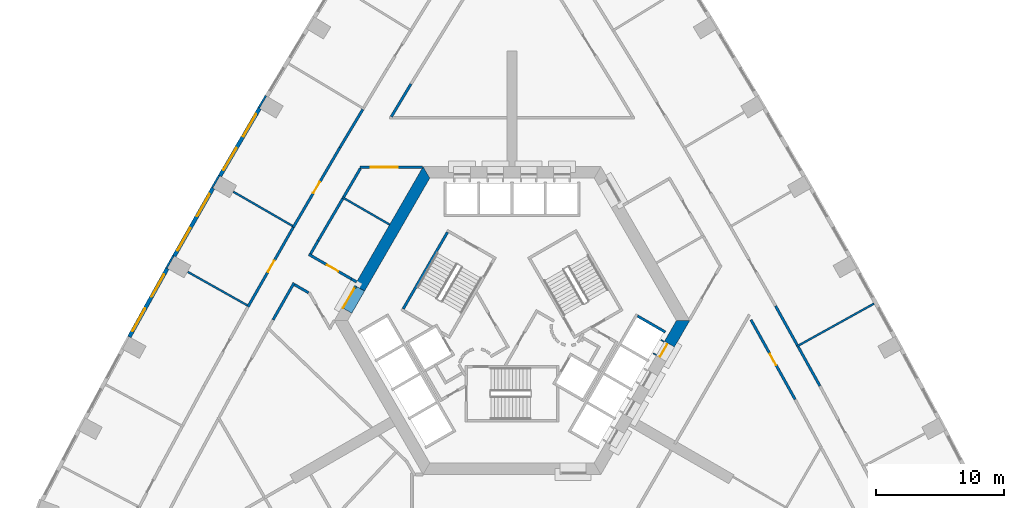
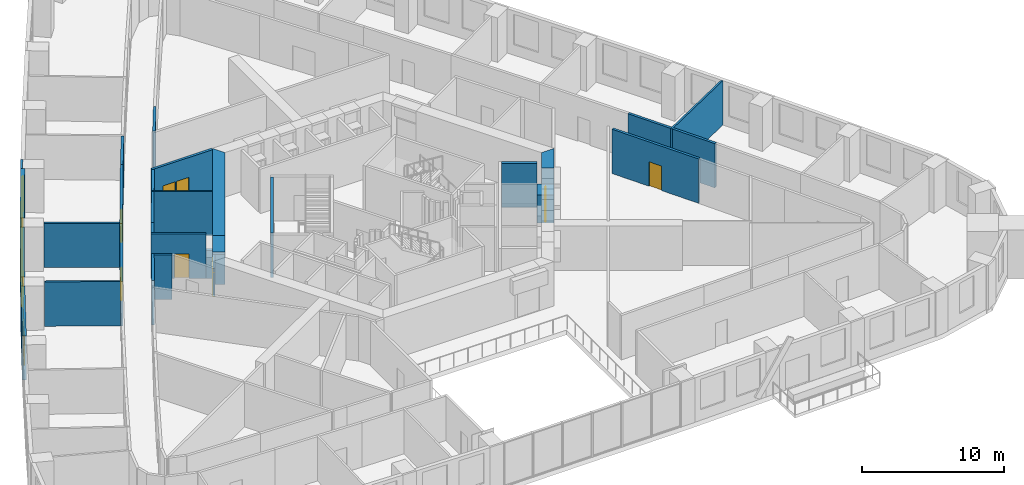
# One storey, part 8 of 14: 32 walls, 8 doors, 6 windows, 14 openings.
"""IFC4 building model written with IfcOpenShell, lengths in metres."""

import ifcopenshell
import ifcopenshell.guid

model = None  # the IFC model being written
_history = None  # IfcOwnerHistory: only IFC2X3 demands one
_inside = {}  # id of a spatial element -> (the spatial element, [elements in it])
_under = {}  # id of a project, library or spatial element -> (it, [spatial elements below it])
_declared = {}  # id of a project -> (the project, [libraries it declares])
_typed = {}  # id of a type object -> (the type object, [elements of that type])
_made_of = {}  # id of a material, layer set ... -> (it, [elements and type objects made of it])


def new_model(schema):
    """Start an empty IFC model of exactly this schema.

    Asked for "IFC4X3", IfcOpenShell would pick the latest addendum, in which some entities
    have other attributes; the version numbers below select the first issue.
    IFC2X3 requires an IfcOwnerHistory on every rooted entity: one is made here for all.
    """
    global model, _history
    if schema == "IFC4X3":
        model = ifcopenshell.file(schema_version=(4, 3, 0, 0))
    else:
        model = ifcopenshell.file(schema=schema)
    _inside.clear()
    _under.clear()
    _declared.clear()
    _typed.clear()
    _made_of.clear()
    _history = None
    if model.schema == "IFC2X3":
        org = make("IfcOrganization", Name="unknown")
        user = make(
            "IfcPersonAndOrganization",
            ThePerson=make("IfcPerson", FamilyName="unknown"),
            TheOrganization=org,
        )
        app = make(
            "IfcApplication",
            ApplicationDeveloper=org,
            Version="unknown",
            ApplicationFullName="unknown",
            ApplicationIdentifier="unknown",
        )
        _history = make(
            "IfcOwnerHistory",
            OwningUser=user,
            OwningApplication=app,
            ChangeAction="ADDED",
            CreationDate=0,
        )
    return model


def make(cls, **values):
    """One entity of the class cls with the attributes given. An attribute that is None is left unset."""
    return model.create_entity(
        cls, **{name: value for name, value in values.items() if value is not None}
    )


def rooted(cls, **values):
    """An entity with a GlobalId (a new one), such as an element, a storey or a relation."""
    return make(cls, GlobalId=ifcopenshell.guid.new(), OwnerHistory=_history, **values)


def si_unit(unit_type, name, prefix=None):
    """IfcSIUnit, for example si_unit("LENGTHUNIT", "METRE", prefix="MILLI")."""
    return make("IfcSIUnit", UnitType=unit_type, Prefix=prefix, Name=name)


def assignment(units):
    """IfcUnitAssignment: the units of a project."""
    return None if units is None else make("IfcUnitAssignment", Units=units)


def point(xyz):
    """IfcCartesianPoint."""
    return None if xyz is None else make("IfcCartesianPoint", Coordinates=xyz)


def direction(xyz):
    """IfcDirection."""
    return None if xyz is None else make("IfcDirection", DirectionRatios=xyz)


def frame(location, z_axis=None, x_axis=None):
    """IfcAxis2Placement3D, a coordinate frame: its origin and axes. An axis left out is left unset."""
    return make(
        "IfcAxis2Placement3D",
        Location=point(location),
        Axis=direction(z_axis),
        RefDirection=direction(x_axis),
    )


def frame_2d(location, x_axis=None):
    """IfcAxis2Placement2D, a coordinate frame in the plane: its origin and x axis."""
    return make(
        "IfcAxis2Placement2D", Location=point(location), RefDirection=direction(x_axis)
    )


def origin():
    """The frame at (0, 0, 0) with its axes left unset."""
    return frame((0.0, 0.0, 0.0))


def place(relative_to, where):
    """IfcLocalPlacement: puts the frame where relative to a parent placement (None: the world)."""
    return make(
        "IfcLocalPlacement", PlacementRelTo=relative_to, RelativePlacement=where
    )


def context(
    kind, dimensions, precision=None, world=None, true_north=None, identifier=None
):
    """IfcGeometricRepresentationContext, for example the 3D "Model" context."""
    return make(
        "IfcGeometricRepresentationContext",
        ContextIdentifier=identifier,
        ContextType=kind,
        CoordinateSpaceDimension=dimensions,
        Precision=precision,
        WorldCoordinateSystem=world,
        TrueNorth=true_north,
    )


def subcontext(parent, identifier, kind, view, scale=None):
    """IfcGeometricRepresentationSubContext, for example "Body" below "Model"."""
    return make(
        "IfcGeometricRepresentationSubContext",
        ContextIdentifier=identifier,
        ContextType=kind,
        ParentContext=parent,
        TargetScale=scale,
        TargetView=view,
    )


def project(units=None, contexts=None):
    """IfcProject with its units and contexts."""
    return rooted(
        "IfcProject",
        Name="project",
        RepresentationContexts=contexts,
        UnitsInContext=assignment(units),
    )


def spatial(cls, under=None, at=None, **own):
    """A site, building, storey or space (cls), placed at a placement, below another one or the project."""
    s = rooted(cls, ObjectPlacement=at, **own)
    if under is not None:
        _under.setdefault(under.id(), (under, []))[1].append(s)
    return s


def polyline(points):
    """IfcPolyline through the points."""
    return make("IfcPolyline", Points=[point(p) for p in points])


def profile(cls, at=None, kind="AREA", **sizes):
    """A parametric profile (cls). Its sizes go by their IFC names, for example OverallWidth=200.0."""
    return make(cls, ProfileType=kind, Position=at, **sizes)


def rectangle(**sizes):
    """IfcRectangleProfileDef."""
    return profile("IfcRectangleProfileDef", **sizes)


def outline(outer, holes=None, kind="AREA"):
    """IfcArbitraryClosedProfileDef: a profile drawn as a closed curve; with holes, ...WithVoids."""
    if holes is None:
        return make("IfcArbitraryClosedProfileDef", ProfileType=kind, OuterCurve=outer)
    return make(
        "IfcArbitraryProfileDefWithVoids",
        ProfileType=kind,
        OuterCurve=outer,
        InnerCurves=holes,
    )


def extrude(swept, where, along, depth):
    """IfcExtrudedAreaSolid: the profile swept, set in the frame where, extruded along a direction by depth."""
    return make(
        "IfcExtrudedAreaSolid",
        SweptArea=swept,
        Position=where,
        ExtrudedDirection=direction(along),
        Depth=depth,
    )


def shape(context_of_items, identifier, shape_type, items):
    """IfcShapeRepresentation: the items that make up one representation, for example the "Body"."""
    return make(
        "IfcShapeRepresentation",
        ContextOfItems=context_of_items,
        RepresentationIdentifier=identifier,
        RepresentationType=shape_type,
        Items=items,
    )


def material(Name=None, Category=None):
    """IfcMaterial."""
    return make("IfcMaterial", Name=Name, Category=Category)


def layer(
    of_material, thickness, ventilated=None, Name=None, Category=None, Priority=None
):
    """IfcMaterialLayer: one layer of a wall or slab, of a material (None: an air gap)."""
    return make(
        "IfcMaterialLayer",
        Material=of_material,
        LayerThickness=thickness,
        IsVentilated=ventilated,
        Name=Name,
        Category=Category,
        Priority=Priority,
    )


def layer_set(layers, Name=None):
    """IfcMaterialLayerSet."""
    return make("IfcMaterialLayerSet", MaterialLayers=layers, LayerSetName=Name)


def made_of(thing, what):
    """Note that an element or type object is made of a material, layer set ...; save() writes the relation."""
    if what is not None:
        _made_of.setdefault(what.id(), (what, []))[1].append(thing)
    return thing


def type_object(cls, material=None, **own):
    """A type object (cls), such as IfcWallType, which elements share."""
    return made_of(rooted(cls, **own), material)


def element(
    cls,
    number,
    at=None,
    inside=None,
    cuts=None,
    type_object=None,
    material=None,
    context=None,
    identifier="Body",
    shape_type=None,
    held_by="IfcProductDefinitionShape",
    body=None,
    shapes=None,
    **own,
):
    """One element of the class cls, such as IfcWall. Its Tag is "e" and its number.

    at: its placement. inside: the storey or other place that contains it. cuts: it is an
    opening in that element (IfcRelVoidsElement). A single representation is given by context,
    identifier, shape_type and body (its items); several are given by shapes. held_by: the class
    of the entity that holds the representations. save() writes the other relations.
    """
    e = rooted(cls, Tag="e%d" % number, ObjectPlacement=at, **own)
    if body is not None:
        shapes = [shape(context, identifier, shape_type, body)]
    if shapes is not None:
        e.Representation = make(held_by, Representations=shapes)
    if inside is not None:
        _inside.setdefault(inside.id(), (inside, []))[1].append(e)
    if cuts is not None:
        rooted(
            "IfcRelVoidsElement", RelatingBuildingElement=cuts, RelatedOpeningElement=e
        )
    if type_object is not None:
        _typed.setdefault(type_object.id(), (type_object, []))[1].append(e)
    return made_of(e, material)


def fill(opening, filler):
    """IfcRelFillsElement: the door or window that sits in an opening."""
    return rooted(
        "IfcRelFillsElement",
        RelatingOpeningElement=opening,
        RelatedBuildingElement=filler,
    )


def aggregate(whole, parts):
    """IfcRelAggregates: a whole, such as a stair, and the parts it consists of."""
    return rooted("IfcRelAggregates", RelatingObject=whole, RelatedObjects=parts)


def save(model, path):
    """Write the relations noted so far, then the file.

    IfcRelAggregates (storeys below a building ...), IfcRelContainedInSpatialStructure (elements
    in a storey), IfcRelDefinesByType, IfcRelAssociatesMaterial and IfcRelDeclares: one each for
    every whole, place, type object, material and project.
    """
    for whole, parts in _under.values():
        aggregate(whole, parts)
    for where, things in _inside.values():
        rooted(
            "IfcRelContainedInSpatialStructure",
            RelatedElements=things,
            RelatingStructure=where,
        )
    for kind, things in _typed.values():
        rooted("IfcRelDefinesByType", RelatedObjects=things, RelatingType=kind)
    for what, things in _made_of.values():
        rooted("IfcRelAssociatesMaterial", RelatedObjects=things, RelatingMaterial=what)
    for by, libraries in _declared.values():
        rooted("IfcRelDeclares", RelatingContext=by, RelatedDefinitions=libraries)
    model.write(path)


model = new_model("IFC4")

# Units and contexts
model_context = context("Model", 3, precision=1e-05, world=origin(), true_north=direction((0.0, 1.0)))
body_context = subcontext(model_context, "Body", "Model", "MODEL_VIEW")
ifc_project = project(units=[si_unit("LENGTHUNIT", "METRE"), si_unit("AREAUNIT", "SQUARE_METRE"), si_unit("VOLUMEUNIT", "CUBIC_METRE"), si_unit("PLANEANGLEUNIT", "RADIAN"), si_unit("MASSUNIT", "GRAM", prefix="KILO")], contexts=[model_context])

# Site, building, storey
site_placement = place(None, origin())
site = spatial("IfcSite", under=ifc_project, at=site_placement, CompositionType="ELEMENT")
building_placement = place(site_placement, origin())
building = spatial("IfcBuilding", under=site, at=building_placement, Name="Entoto Arch Interchange Tower", CompositionType="ELEMENT")
storey_placement = place(building_placement, frame((0.0, 0.0, 103.39990234375)))
storey = spatial("IfcBuildingStorey", under=building, at=storey_placement, Name="L22", CompositionType="ELEMENT", Elevation=103.39990234375)

# Wall, opening, door
ifc_material_1 = material(Name="Reinforced concrete C40/50", Category="concrete")
ifc_layer_1 = layer(ifc_material_1, 0.199951171875)
ifc_layer_set_1 = layer_set([ifc_layer_1], Name="Reinforced concrete C40/50")
wall_type_1 = type_object("IfcWallType", Name="CORE GAP INFILL WALL", PredefinedType="PARTITIONING", material=ifc_layer_set_1)
wall_1_placement = place(storey_placement, frame((-12.179931640625, 5.201904296875, 0.0), z_axis=(0.0, 0.0, 1.0), x_axis=(-0.50002537861, -0.866010750942, 0.0)))
wall_1 = element("IfcWall", 1, at=wall_1_placement, inside=storey, type_object=wall_type_1, Name="wall:L22:gap3", PredefinedType="PARTITIONING", context=body_context, shape_type="SweptSolid", body=[
    extrude(rectangle(XDim=2.0, YDim=0.199951171875, at=frame_2d((1.0, 0.0))), origin(), (0.0, 0.0, 1.0), 2.400146484375),
])
opening_1_placement = place(wall_1_placement, frame((0.18994140625, 0.0, 0.0)))
opening_1 = element("IfcOpeningElement", 2, at=opening_1_placement, cuts=wall_1, Name="Opening L22-D93", PredefinedType="OPENING", context=body_context, shape_type="SweptSolid", body=[
    extrude(rectangle(XDim=1.800048828125, YDim=2.10009765625, at=frame_2d((0.89990234375, 1.050048828125))), frame((0.0, 0.10986328125, 0.0), z_axis=(0.0, -1.0, 0.0), x_axis=(1.0, 0.0, 0.0)), (0.0, 0.0, 1.0), 0.219970703125),
])
ifc_material_2 = material(Name="Fire-rated Steel S235 door and frame", Category="steel")
door_type_1 = type_object("IfcDoorType", Name="DOOR FD-18 1800x2100", OperationType="DOUBLE_DOOR_SINGLE_SWING", PredefinedType="DOOR", material=ifc_material_2)
door_1_placement = place(opening_1_placement, origin())
door_1 = element("IfcDoor", 3, at=door_1_placement, inside=storey, type_object=door_type_1, Name="door:L22:gap3", OperationType="DOUBLE_DOOR_SINGLE_SWING", OverallHeight=2.10009765625, OverallWidth=1.800048828125, PredefinedType="DOOR", context=body_context, shape_type="SweptSolid", body=[
    extrude(rectangle(XDim=1.800048828125, YDim=2.10009765625, at=frame_2d((0.89990234375, 1.050048828125))), frame((0.0, 0.02490234375, 0.0), z_axis=(0.0, -1.0, 0.0), x_axis=(1.0, 0.0, 0.0)), (0.0, 0.0, 1.0), 0.050048828125),
])
fill(opening_1, door_1)

# Walls
ifc_material_3 = material(Name="Concrete C60/75", Category="concrete")
ifc_layer_2 = layer(ifc_material_3, 0.89990234375)
ifc_layer_set_2 = layer_set([ifc_layer_2], Name="Concrete C60/75")
wall_type_2 = type_object("IfcWallType", Name="Core wall 900 C60/75", PredefinedType="SHEAR", material=ifc_layer_set_2)
wall_2_placement = place(storey_placement, frame((0.0, 0.0, -0.39990234375)))
element("IfcWall", 4, at=wall_2_placement, inside=storey, type_object=wall_type_2, Name="Core wall NW L22", PredefinedType="SHEAR", context=body_context, shape_type="SweptSolid", body=[
    extrude(outline(polyline([(-12.26708984375, 5.251953125), (-11.488037109375, 4.802001953125), (-6.408935546875, 13.60009765625), (-6.927978515625, 14.5), (-12.26708984375, 5.251953125)])), origin(), (0.0, 0.0, 1.0), 4.199951171875),
])
wall_3_placement = place(storey_placement, frame((0.0, 0.0, 3.60009765625)))
element("IfcWall", 5, at=wall_3_placement, inside=storey, type_object=wall_type_2, Name="Core wall lintel NW L22", PredefinedType="SHEAR", context=body_context, shape_type="SweptSolid", body=[
    extrude(outline(polyline([(-13.26708984375, 3.52001953125), (-12.488037109375, 3.070068359375), (-11.488037109375, 4.802001953125), (-12.26708984375, 5.251953125), (-13.26708984375, 3.52001953125)])), origin(), (0.0, 0.0, 1.0), 0.199951171875),
])
wall_4_placement = place(storey_placement, frame((0.0, 0.0, -0.39990234375)))
element("IfcWall", 6, at=wall_4_placement, inside=storey, type_object=wall_type_2, Name="Core wall SE L22", PredefinedType="SHEAR", context=body_context, shape_type="SweptSolid", body=[
    extrude(outline(polyline([(11.887939453125, 0.889892578125), (12.6669921875, 0.43994140625), (13.85595703125, 2.5), (12.81689453125, 2.5), (11.887939453125, 0.889892578125)])), origin(), (0.0, 0.0, 1.0), 4.199951171875),
])

# Wall, opening, door
ifc_material_4 = material(Name="Concrete C40/50", Category="concrete")
ifc_layer_3 = layer(ifc_material_4, 1.199951171875)
ifc_layer_set_3 = layer_set([ifc_layer_3], Name="Concrete C40/50")
wall_type_3 = type_object("IfcWallType", Name="LIFT LANDING INFILL WALL", PredefinedType="STANDARD", material=ifc_layer_set_3)
wall_5_placement = place(storey_placement, frame((11.498046875, -0.385009765625, 0.0), z_axis=(0.0, 0.0, 1.0), x_axis=(0.500221244143, 0.865897630733, 0.0)))
wall_5 = element("IfcWall", 7, at=wall_5_placement, inside=storey, type_object=wall_type_3, Name="Lift landing infill wall LR8 L22", PredefinedType="STANDARD", context=body_context, shape_type="SweptSolid", body=[
    extrude(rectangle(XDim=1.29931640625, YDim=1.199951171875, at=frame_2d((0.649658203125, 0.0))), origin(), (0.0, 0.0, 1.0), 2.400146484375),
])
opening_2_placement = place(wall_5_placement, frame((0.10009765625, 0.0, 0.0)))
opening_2 = element("IfcOpeningElement", 8, at=opening_2_placement, cuts=wall_5, Name="Opening LD-LR8-L22", PredefinedType="OPENING", context=body_context, shape_type="SweptSolid", body=[
    extrude(rectangle(XDim=1.10009765625, YDim=2.300048828125, at=frame_2d((0.550048828125, 1.14990234375))), frame((0.0, 0.60986328125, 0.0), z_axis=(0.0, -1.0, 0.0), x_axis=(1.0, 0.0, 0.0)), (0.0, 0.0, 1.0), 1.219970703125),
])
ifc_material_5 = material(Name="Stainless steel 1.4301 panels", Category="steel")
door_type_2 = type_object("IfcDoorType", Name="LIFT LANDING DOOR LD2 1100x2300", OperationType="SLIDING_TO_LEFT", PredefinedType="DOOR", material=ifc_material_5)
door_2_placement = place(opening_2_placement, origin())
door_2 = element("IfcDoor", 9, at=door_2_placement, inside=storey, type_object=door_type_2, Name="Lift landing door LR8 L22", OperationType="SLIDING_TO_LEFT", OverallHeight=2.300048828125, OverallWidth=1.10009765625, PredefinedType="DOOR", context=body_context, shape_type="SweptSolid", body=[
    extrude(rectangle(XDim=1.10009765625, YDim=2.300048828125, at=frame_2d((0.550048828125, 1.14990234375))), frame((0.0, 0.02490234375, 0.0), z_axis=(0.0, -1.0, 0.0), x_axis=(1.0, 0.0, 0.0)), (0.0, 0.0, 1.0), 0.050048828125),
])
fill(opening_2, door_2)

# Walls
ifc_layer_4 = layer(ifc_material_4, 0.199951171875)
ifc_layer_set_4 = layer_set([ifc_layer_4], Name="Concrete C40/50")
wall_type_4 = type_object("IfcWallType", Name="LIFT SHAFT WALL 200", PredefinedType="STANDARD", material=ifc_layer_set_4)
wall_6_placement = place(storey_placement, frame((9.7880859375, 2.85302734375, 0.0), z_axis=(0.0, 0.0, 1.0), x_axis=(0.865998541277, -0.500046524342, 0.0)))
element("IfcWall", 10, at=wall_6_placement, inside=storey, type_object=wall_type_4, Name="Shaft wall SE3 cross 5", PredefinedType="STANDARD", context=body_context, shape_type="SweptSolid", body=[
    extrude(rectangle(XDim=2.499755859375, YDim=0.199951171875, at=frame_2d((1.25, 0.0))), origin(), (0.0, 0.0, 1.0), 3.800048828125),
])
ifc_material_6 = material(Name="Gypsum board partition on steel studs", Category="steel")
ifc_layer_5 = layer(ifc_material_6, 0.14990234375)
ifc_layer_set_5 = layer_set([ifc_layer_5], Name="Gypsum board partition on steel studs")
wall_type_5 = type_object("IfcWallType", Name="PARTITION 150", PredefinedType="PARTITIONING", material=ifc_layer_set_5)
wall_7_placement = place(storey_placement, frame((-9.537109375, 9.98095703125, 0.0), z_axis=(0.0, 0.0, 1.0), x_axis=(-0.866007866579, 0.5000303741, 0.0)))
element("IfcWall", 11, at=wall_7_placement, inside=storey, type_object=wall_type_5, Name="wall:L22:p095", PredefinedType="PARTITIONING", context=body_context, shape_type="SweptSolid", body=[
    extrude(rectangle(XDim=4.278076171875, YDim=0.14990234375, at=frame_2d((2.13916015625, 0.0))), origin(), (0.0, 0.0, 1.0), 3.800048828125),
])
wall_8_placement = place(storey_placement, frame((22.18505859375, 0.472900390625, 0.0), z_axis=(0.0, 0.0, 1.0), x_axis=(0.874372498137, 0.485255329184, 0.0)))
element("IfcWall", 12, at=wall_8_placement, inside=storey, type_object=wall_type_5, Name="wall:L22:p141", PredefinedType="PARTITIONING", context=body_context, shape_type="SweptSolid", body=[
    extrude(rectangle(XDim=6.899658203125, YDim=0.14990234375, at=frame_2d((3.44970703125, 0.0))), origin(), (0.0, 0.0, 1.0), 3.800048828125),
])
wall_9_placement = place(storey_placement, frame((-17.10400390625, 9.875, 0.0), z_axis=(0.0, 0.0, 1.0), x_axis=(-0.866024640963, 0.500001321243, 0.0)))
element("IfcWall", 13, at=wall_9_placement, inside=storey, type_object=wall_type_5, Name="wall:L22:p148", PredefinedType="PARTITIONING", context=body_context, shape_type="SweptSolid", body=[
    extrude(rectangle(XDim=5.330078125, YDim=0.14990234375, at=frame_2d((2.6650390625, 0.0))), origin(), (0.0, 0.0, 1.0), 3.800048828125),
])
wall_10_placement = place(storey_placement, frame((-20.631103515625, 3.68505859375, 0.0), z_axis=(0.0, 0.0, 1.0), x_axis=(-0.871680720442, 0.490074200106, 0.0)))
element("IfcWall", 14, at=wall_10_placement, inside=storey, type_object=wall_type_5, Name="wall:L22:p149", PredefinedType="PARTITIONING", context=body_context, shape_type="SweptSolid", body=[
    extrude(rectangle(XDim=5.329833984375, YDim=0.14990234375, at=frame_2d((2.6650390625, 0.0))), origin(), (0.0, 0.0, 1.0), 3.800048828125),
])
ifc_layer_6 = layer(ifc_material_6, 0.199951171875)
ifc_layer_set_6 = layer_set([ifc_layer_6], Name="Gypsum board partition on steel studs")
wall_type_6 = type_object("IfcWallType", Name="PARTITION 200", PredefinedType="PARTITIONING", material=ifc_layer_set_6)
wall_11_placement = place(storey_placement, frame((-11.81396484375, 14.364013671875, 0.0), z_axis=(0.0, 0.0, 1.0), x_axis=(-0.504658640018, -0.863318977583, 0.0)))
element("IfcWall", 15, at=wall_11_placement, inside=storey, type_object=wall_type_6, Name="wall:L22:p001", PredefinedType="PARTITIONING", context=body_context, shape_type="SweptSolid", body=[
    extrude(rectangle(XDim=2.581787109375, YDim=0.199951171875, at=frame_2d((1.291015625, 0.0))), origin(), (0.0, 0.0, 1.0), 3.800048828125),
])
wall_12_placement = place(storey_placement, frame((-13.193115234375, 12.0048828125, 0.0), z_axis=(0.0, 0.0, 1.0), x_axis=(-0.50499711829, -0.863121028894, 0.0)))
element("IfcWall", 16, at=wall_12_placement, inside=storey, type_object=wall_type_6, Name="wall:L22:p002", PredefinedType="PARTITIONING", context=body_context, shape_type="SweptSolid", body=[
    extrude(rectangle(XDim=3.7998046875, YDim=0.199951171875, at=frame_2d((1.89990234375, 0.0))), origin(), (0.0, 0.0, 1.0), 3.800048828125),
])
wall_13_placement = place(storey_placement, frame((-15.112060546875, 8.72509765625, 0.0), z_axis=(0.0, 0.0, 1.0), x_axis=(-0.495074026382, -0.868850797549, 0.0)))
element("IfcWall", 17, at=wall_13_placement, inside=storey, type_object=wall_type_6, Name="wall:L22:p003", PredefinedType="PARTITIONING", context=body_context, shape_type="SweptSolid", body=[
    extrude(rectangle(XDim=1.185546875, YDim=0.199951171875, at=frame_2d((0.5927734375, 0.0))), origin(), (0.0, 0.0, 1.0), 3.800048828125),
])

# Wall, opening, door
wall_14_placement = place(storey_placement, frame((-15.8349609375, 7.657958984375, 0.0), z_axis=(0.0, 0.0, 1.0), x_axis=(0.866076614194, -0.499911290476, 0.0)))
wall_14 = element("IfcWall", 18, at=wall_14_placement, inside=storey, type_object=wall_type_6, Name="wall:L22:p004", PredefinedType="PARTITIONING", context=body_context, shape_type="SweptSolid", body=[
    extrude(rectangle(XDim=3.842529296875, YDim=0.199951171875, at=frame_2d((1.92138671875, 0.0))), origin(), (0.0, 0.0, 1.0), 3.800048828125),
])
opening_3_placement = place(wall_14_placement, frame((1.64599609375, 0.0, 0.0)))
opening_3 = element("IfcOpeningElement", 19, at=opening_3_placement, cuts=wall_14, Name="Opening L22-D33", PredefinedType="OPENING", context=body_context, shape_type="SweptSolid", body=[
    extrude(rectangle(XDim=1.0, YDim=2.10009765625, at=frame_2d((0.5, 1.050048828125))), frame((0.0, 0.10986328125, 0.0), z_axis=(0.0, -1.0, 0.0), x_axis=(1.0, 0.0, 0.0)), (0.0, 0.0, 1.0), 0.219970703125),
])
ifc_material_7 = material(Name="Timber door leaf in Steel S235 frame", Category="steel")
door_type_3 = type_object("IfcDoorType", Name="DOOR DS-10 1000x2100", OperationType="SINGLE_SWING_LEFT", PredefinedType="DOOR", material=ifc_material_7)
door_3_placement = place(opening_3_placement, origin())
door_3 = element("IfcDoor", 20, at=door_3_placement, inside=storey, type_object=door_type_3, Name="door:L22:33", OperationType="SINGLE_SWING_LEFT", OverallHeight=2.10009765625, OverallWidth=1.0, PredefinedType="DOOR", context=body_context, shape_type="SweptSolid", body=[
    extrude(rectangle(XDim=1.0, YDim=2.10009765625, at=frame_2d((0.5, 1.050048828125))), frame((0.0, 0.02490234375, 0.0), z_axis=(0.0, -1.0, 0.0), x_axis=(1.0, 0.0, 0.0)), (0.0, 0.0, 1.0), 0.050048828125),
])
fill(opening_3, door_3)

# Wall
wall_15_placement = place(storey_placement, frame((-7.875, 20.93994140625, 0.0), z_axis=(0.0, 0.0, 1.0), x_axis=(-0.514399309837, -0.857550785691, 0.0)))
element("IfcWall", 21, at=wall_15_placement, inside=storey, type_object=wall_type_6, Name="wall:L22:p016", PredefinedType="PARTITIONING", context=body_context, shape_type="SweptSolid", body=[
    extrude(rectangle(XDim=2.978271484375, YDim=0.199951171875, at=frame_2d((1.4892578125, 0.0))), origin(), (0.0, 0.0, 1.0), 3.800048828125),
])

# Wall, opening, door
wall_16_placement = place(storey_placement, frame((22.071044921875, -3.64990234375, 0.0), z_axis=(0.0, 0.0, 1.0), x_axis=(-0.485198988697, 0.874403763354, 0.0)))
wall_16 = element("IfcWall", 22, at=wall_16_placement, inside=storey, type_object=wall_type_6, Name="wall:L22:p020", PredefinedType="PARTITIONING", context=body_context, shape_type="SweptSolid", body=[
    extrude(rectangle(XDim=7.098388671875, YDim=0.199951171875, at=frame_2d((3.54931640625, 0.0))), origin(), (0.0, 0.0, 1.0), 3.800048828125),
])
opening_4_placement = place(wall_16_placement, frame((3.049072265625, 0.0, 0.0)))
opening_4 = element("IfcOpeningElement", 23, at=opening_4_placement, cuts=wall_16, Name="Opening L22-D22", PredefinedType="OPENING", context=body_context, shape_type="SweptSolid", body=[
    extrude(rectangle(XDim=1.0, YDim=2.10009765625, at=frame_2d((0.5, 1.050048828125))), frame((0.0, 0.10986328125, 0.0), z_axis=(0.0, -1.0, 0.0), x_axis=(1.0, 0.0, 0.0)), (0.0, 0.0, 1.0), 0.219970703125),
])
door_4_placement = place(opening_4_placement, origin())
door_4 = element("IfcDoor", 24, at=door_4_placement, inside=storey, type_object=door_type_3, Name="door:L22:22", OperationType="SINGLE_SWING_RIGHT", OverallHeight=2.10009765625, OverallWidth=1.0, PredefinedType="DOOR", context=body_context, shape_type="SweptSolid", body=[
    extrude(rectangle(XDim=1.0, YDim=2.10009765625, at=frame_2d((0.5, 1.050048828125))), frame((0.0, 0.02490234375, 0.0), z_axis=(0.0, -1.0, 0.0), x_axis=(1.0, 0.0, 0.0)), (0.0, 0.0, 1.0), 0.050048828125),
])
fill(opening_4, door_4)

# Walls
wall_17_placement = place(storey_placement, frame((-15.860107421875, 4.6708984375, 0.0), z_axis=(0.0, 0.0, 1.0), x_axis=(-0.866192052573, 0.49971124468, 0.0)))
element("IfcWall", 25, at=wall_17_placement, inside=storey, type_object=wall_type_6, Name="wall:L22:p029", PredefinedType="PARTITIONING", context=body_context, shape_type="SweptSolid", body=[
    extrude(rectangle(XDim=1.257080078125, YDim=0.199951171875, at=frame_2d((0.62841796875, 0.0))), origin(), (0.0, 0.0, 1.0), 3.800048828125),
])
wall_18_placement = place(storey_placement, frame((-16.986083984375, 5.43603515625, 0.0), z_axis=(0.0, 0.0, 1.0), x_axis=(-0.49514688151, -0.868809280412, 0.0)))
element("IfcWall", 26, at=wall_18_placement, inside=storey, type_object=wall_type_6, Name="wall:L22:p030", PredefinedType="PARTITIONING", context=body_context, shape_type="SweptSolid", body=[
    extrude(rectangle(XDim=3.31396484375, YDim=0.199951171875, at=frame_2d((1.656982421875, 0.0))), origin(), (0.0, 0.0, 1.0), 3.800048828125),
])
wall_19_placement = place(storey_placement, frame((22.30908203125, 0.4560546875, 0.0), z_axis=(0.0, 0.0, 1.0), x_axis=(0.484982854201, -0.87452365956, 0.0)))
element("IfcWall", 27, at=wall_19_placement, inside=storey, type_object=wall_type_6, Name="wall:L22:p050", PredefinedType="PARTITIONING", context=body_context, shape_type="SweptSolid", body=[
    extrude(rectangle(XDim=3.486572265625, YDim=0.199951171875, at=frame_2d((1.7431640625, 0.0))), origin(), (0.0, 0.0, 1.0), 3.800048828125),
])
wall_20_placement = place(storey_placement, frame((20.5439453125, 3.635986328125, 0.0), z_axis=(0.0, 0.0, 1.0), x_axis=(0.485250552989, -0.874375148792, 0.0)))
element("IfcWall", 28, at=wall_20_placement, inside=storey, type_object=wall_type_6, Name="wall:L22:p053", PredefinedType="PARTITIONING", context=body_context, shape_type="SweptSolid", body=[
    extrude(rectangle(XDim=3.487060546875, YDim=0.199951171875, at=frame_2d((1.74365234375, 0.0))), origin(), (0.0, 0.0, 1.0), 3.800048828125),
])

# Wall, opening, door
wall_21_placement = place(storey_placement, frame((-17.054931640625, 9.760009765625, 0.0), z_axis=(0.0, 0.0, 1.0), x_axis=(0.504817517618, 0.863226085047, 0.0)))
wall_21 = element("IfcWall", 29, at=wall_21_placement, inside=storey, type_object=wall_type_6, Name="wall:L22:p067", PredefinedType="PARTITIONING", context=body_context, shape_type="SweptSolid", body=[
    extrude(rectangle(XDim=7.19873046875, YDim=0.199951171875, at=frame_2d((3.599365234375, 0.0))), origin(), (0.0, 0.0, 1.0), 3.800048828125),
])
opening_5_placement = place(wall_21_placement, frame((3.09912109375, 0.0, 0.0)))
opening_5 = element("IfcOpeningElement", 30, at=opening_5_placement, cuts=wall_21, Name="Opening L22-D12", PredefinedType="OPENING", context=body_context, shape_type="SweptSolid", body=[
    extrude(rectangle(XDim=1.0, YDim=2.10009765625, at=frame_2d((0.5, 1.050048828125))), frame((0.0, 0.10986328125, 0.0), z_axis=(0.0, -1.0, 0.0), x_axis=(1.0, 0.0, 0.0)), (0.0, 0.0, 1.0), 0.219970703125),
])
door_5_placement = place(opening_5_placement, origin())
door_5 = element("IfcDoor", 31, at=door_5_placement, inside=storey, type_object=door_type_3, Name="door:L22:12", OperationType="SINGLE_SWING_LEFT", OverallHeight=2.10009765625, OverallWidth=1.0, PredefinedType="DOOR", context=body_context, shape_type="SweptSolid", body=[
    extrude(rectangle(XDim=1.0, YDim=2.10009765625, at=frame_2d((0.5, 1.050048828125))), frame((0.0, 0.02490234375, 0.0), z_axis=(0.0, -1.0, 0.0), x_axis=(1.0, 0.0, 0.0)), (0.0, 0.0, 1.0), 0.050048828125),
])
fill(opening_5, door_5)

# Wall
wall_22_placement = place(storey_placement, frame((-13.4208984375, 15.97412109375, 0.0), z_axis=(0.0, 0.0, 1.0), x_axis=(0.514691349792, 0.857375538751, 0.0)))
element("IfcWall", 32, at=wall_22_placement, inside=storey, type_object=wall_type_6, Name="wall:L22:p068", PredefinedType="PARTITIONING", context=body_context, shape_type="SweptSolid", body=[
    extrude(rectangle(XDim=3.4873046875, YDim=0.199951171875, at=frame_2d((1.74365234375, 0.0))), origin(), (0.0, 0.0, 1.0), 3.800048828125),
])

# Wall, opening, door
wall_23_placement = place(storey_placement, frame((-20.5810546875, 3.571044921875, 0.0), z_axis=(0.0, 0.0, 1.0), x_axis=(0.495138372197, 0.868814129937, 0.0)))
wall_23 = element("IfcWall", 33, at=wall_23_placement, inside=storey, type_object=wall_type_6, Name="wall:L22:p069", PredefinedType="PARTITIONING", context=body_context, shape_type="SweptSolid", body=[
    extrude(rectangle(XDim=7.12353515625, YDim=0.199951171875, at=frame_2d((3.561767578125, 0.0))), origin(), (0.0, 0.0, 1.0), 3.800048828125),
])
opening_6_placement = place(wall_23_placement, frame((3.136962890625, 0.0, 0.0)))
opening_6 = element("IfcOpeningElement", 34, at=opening_6_placement, cuts=wall_23, Name="Opening L22-D13", PredefinedType="OPENING", context=body_context, shape_type="SweptSolid", body=[
    extrude(rectangle(XDim=1.0, YDim=2.10009765625, at=frame_2d((0.5, 1.050048828125))), frame((0.0, 0.10986328125, 0.0), z_axis=(0.0, -1.0, 0.0), x_axis=(1.0, 0.0, 0.0)), (0.0, 0.0, 1.0), 0.219970703125),
])
door_6_placement = place(opening_6_placement, origin())
door_6 = element("IfcDoor", 35, at=door_6_placement, inside=storey, type_object=door_type_3, Name="door:L22:13", OperationType="SINGLE_SWING_LEFT", OverallHeight=2.10009765625, OverallWidth=1.0, PredefinedType="DOOR", context=body_context, shape_type="SweptSolid", body=[
    extrude(rectangle(XDim=1.0, YDim=2.10009765625, at=frame_2d((0.5, 1.050048828125))), frame((0.0, 0.02490234375, 0.0), z_axis=(0.0, -1.0, 0.0), x_axis=(1.0, 0.0, 0.0)), (0.0, 0.0, 1.0), 0.050048828125),
])
fill(opening_6, door_6)

# Wall, openings, doors
wall_24_placement = place(storey_placement, frame((-6.95703125, 14.449951171875, 0.0), z_axis=(0.0, 0.0, 1.0), x_axis=(-1.0, 0.0, 0.0)))
wall_24 = element("IfcWall", 36, at=wall_24_placement, inside=storey, type_object=wall_type_6, Name="wall:L22:p096", PredefinedType="PARTITIONING", context=body_context, shape_type="SweptSolid", body=[
    extrude(rectangle(XDim=4.906005859375, YDim=0.199951171875, at=frame_2d((2.453125, 0.0))), origin(), (0.0, 0.0, 1.0), 3.800048828125),
])
opening_7_placement = place(wall_24_placement, frame((1.952880859375, 0.0, 0.0)))
opening_7 = element("IfcOpeningElement", 37, at=opening_7_placement, cuts=wall_24, Name="Opening L22-D32", PredefinedType="OPENING", context=body_context, shape_type="SweptSolid", body=[
    extrude(rectangle(XDim=1.0, YDim=2.10009765625, at=frame_2d((0.5, 1.050048828125))), frame((0.0, 0.10986328125, 0.0), z_axis=(0.0, -1.0, 0.0), x_axis=(1.0, 0.0, 0.0)), (0.0, 0.0, 1.0), 0.219970703125),
])
opening_8_placement = place(wall_24_placement, frame((3.052978515625, 0.0, 0.0)))
opening_8 = element("IfcOpeningElement", 38, at=opening_8_placement, cuts=wall_24, Name="Opening L22-D40", PredefinedType="OPENING", context=body_context, shape_type="SweptSolid", body=[
    extrude(rectangle(XDim=1.0, YDim=2.10009765625, at=frame_2d((0.5, 1.050048828125))), frame((0.0, 0.10986328125, 0.0), z_axis=(0.0, -1.0, 0.0), x_axis=(1.0, 0.0, 0.0)), (0.0, 0.0, 1.0), 0.219970703125),
])
door_7_placement = place(opening_7_placement, origin())
door_7 = element("IfcDoor", 39, at=door_7_placement, inside=storey, type_object=door_type_3, Name="door:L22:32", OperationType="SINGLE_SWING_LEFT", OverallHeight=2.10009765625, OverallWidth=1.0, PredefinedType="DOOR", context=body_context, shape_type="SweptSolid", body=[
    extrude(rectangle(XDim=1.0, YDim=2.10009765625, at=frame_2d((0.5, 1.050048828125))), frame((0.0, 0.02490234375, 0.0), z_axis=(0.0, -1.0, 0.0), x_axis=(1.0, 0.0, 0.0)), (0.0, 0.0, 1.0), 0.050048828125),
])
fill(opening_7, door_7)
door_8_placement = place(opening_8_placement, origin())
door_8 = element("IfcDoor", 40, at=door_8_placement, inside=storey, type_object=door_type_3, Name="door:L22:40", OperationType="SINGLE_SWING_RIGHT", OverallHeight=2.10009765625, OverallWidth=1.0, PredefinedType="DOOR", context=body_context, shape_type="SweptSolid", body=[
    extrude(rectangle(XDim=1.0, YDim=2.10009765625, at=frame_2d((0.5, 1.050048828125))), frame((0.0, 0.02490234375, 0.0), z_axis=(0.0, -1.0, 0.0), x_axis=(1.0, 0.0, 0.0)), (0.0, 0.0, 1.0), 0.050048828125),
])
fill(opening_8, door_8)

# Walls
wall_25_placement = place(storey_placement, frame((-12.507080078125, 5.737060546875, 0.0), z_axis=(0.0, 0.0, 1.0), x_axis=(0.866167537795, -0.499753735824, 0.0)))
element("IfcWall", 41, at=wall_25_placement, inside=storey, type_object=wall_type_6, Name="wall:L22:p004", PredefinedType="PARTITIONING", context=body_context, shape_type="SweptSolid", body=[
    extrude(rectangle(XDim=0.450439453125, YDim=0.199951171875, at=frame_2d((0.22509765625, 0.0))), origin(), (0.0, 0.0, 1.0), 2.400146484375),
])
ifc_layer_7 = layer(ifc_material_4, 0.199951171875)
ifc_layer_set_7 = layer_set([ifc_layer_7], Name="Concrete C40/50")
wall_type_7 = type_object("IfcWallType", Name="STAIR ENCLOSURE WALL 200", PredefinedType="STANDARD", material=ifc_layer_set_7)
wall_26_placement = place(storey_placement, frame((-5.030029296875, 9.387939453125, 0.0), z_axis=(0.0, 0.0, 1.0), x_axis=(-0.499978703459, -0.866037698999, 0.0)))
element("IfcWall", 42, at=wall_26_placement, inside=storey, type_object=wall_type_7, Name="Stair wall ST-NW back", PredefinedType="STANDARD", context=body_context, shape_type="SweptSolid", body=[
    extrude(rectangle(XDim=6.900146484375, YDim=0.199951171875, at=frame_2d((3.4501953125, 0.0))), origin(), (0.0, 0.0, 1.0), 3.800048828125),
])

# Wall, openings, windows
ifc_material_8 = material(Name="Welded tuff (ignimbrite) cladding, warm buff", Category="masonry")
ifc_layer_8 = layer(ifc_material_8, 0.300048828125)
ifc_layer_set_8 = layer_set([ifc_layer_8], Name="Welded tuff (ignimbrite) cladding, warm buff")
wall_type_8 = type_object("IfcWallType", Name="STONE INFILL WALL 300", PredefinedType="STANDARD", material=ifc_layer_set_8)
wall_27_placement = place(storey_placement, frame((-19.677001953125, 19.04296875, 0.0), z_axis=(0.0, 0.0, 1.0), x_axis=(-0.50490018297, -0.863177736759, 0.0)))
wall_27 = element("IfcWall", 43, at=wall_27_placement, inside=storey, type_object=wall_type_8, Name="Facade wall NW-04 L22", PredefinedType="STANDARD", context=body_context, shape_type="SweptSolid", body=[
    extrude(rectangle(XDim=6.104248046875, YDim=0.300048828125, at=frame_2d((3.05224609375, 0.0))), origin(), (0.0, 0.0, 1.0), 3.800048828125),
])
opening_9_placement = place(wall_27_placement, frame((0.52587890625, 0.0, 0.89990234375)))
opening_9 = element("IfcOpeningElement", 44, at=opening_9_placement, cuts=wall_27, Name="Opening WO-C", PredefinedType="OPENING", context=body_context, shape_type="SweptSolid", body=[
    extrude(rectangle(XDim=2.0, YDim=2.60009765625, at=frame_2d((1.0, 1.300048828125))), frame((0.0, 0.16015625, 0.0), z_axis=(0.0, -1.0, 0.0), x_axis=(1.0, 0.0, 0.0)), (0.0, 0.0, 1.0), 0.320068359375),
])
opening_10_placement = place(wall_27_placement, frame((3.577880859375, 0.0, 0.89990234375)))
opening_10 = element("IfcOpeningElement", 45, at=opening_10_placement, cuts=wall_27, Name="Opening WO-C", PredefinedType="OPENING", context=body_context, shape_type="SweptSolid", body=[
    extrude(rectangle(XDim=2.0, YDim=2.60009765625, at=frame_2d((1.0, 1.300048828125))), frame((0.0, 0.16015625, 0.0), z_axis=(0.0, -1.0, 0.0), x_axis=(1.0, 0.0, 0.0)), (0.0, 0.0, 1.0), 0.320068359375),
])
ifc_material_9 = material(Name="Clear glass, low-e double glazed", Category="glass")
window_type = type_object("IfcWindowType", Name="WINDOW WO-C 2000x2600", PartitioningType="DOUBLE_PANEL_VERTICAL", PredefinedType="WINDOW", material=ifc_material_9)
window_1_placement = place(opening_9_placement, origin())
window_1 = element("IfcWindow", 46, at=window_1_placement, inside=storey, type_object=window_type, Name="Window WO-C NW-04 L22", OverallHeight=2.60009765625, OverallWidth=2.0, PartitioningType="SINGLE_PANEL", PredefinedType="WINDOW", context=body_context, shape_type="SweptSolid", body=[
    extrude(rectangle(XDim=2.0, YDim=2.60009765625, at=frame_2d((1.0, 1.300048828125))), frame((0.0, 0.030029296875, 0.0), z_axis=(0.0, -1.0, 0.0), x_axis=(1.0, 0.0, 0.0)), (0.0, 0.0, 1.0), 0.06005859375),
])
fill(opening_9, window_1)
window_2_placement = place(opening_10_placement, origin())
window_2 = element("IfcWindow", 47, at=window_2_placement, inside=storey, type_object=window_type, Name="Window WO-C NW-04 L22", OverallHeight=2.60009765625, OverallWidth=2.0, PartitioningType="SINGLE_PANEL", PredefinedType="WINDOW", context=body_context, shape_type="SweptSolid", body=[
    extrude(rectangle(XDim=2.0, YDim=2.60009765625, at=frame_2d((1.0, 1.300048828125))), frame((0.0, 0.030029296875, 0.0), z_axis=(0.0, -1.0, 0.0), x_axis=(1.0, 0.0, 0.0)), (0.0, 0.0, 1.0), 0.06005859375),
])
fill(opening_10, window_2)

wall_28_placement = place(storey_placement, frame((-23.30810546875, 12.822998046875, 0.0), z_axis=(0.0, 0.0, 1.0), x_axis=(-0.495113375427, -0.868828375154, 0.0)))
wall_28 = element("IfcWall", 48, at=wall_28_placement, inside=storey, type_object=wall_type_8, Name="Facade wall NW-05 L22", PredefinedType="STANDARD", context=body_context, shape_type="SweptSolid", body=[
    extrude(rectangle(XDim=6.103515625, YDim=0.300048828125, at=frame_2d((3.0517578125, 0.0))), origin(), (0.0, 0.0, 1.0), 3.800048828125),
])
opening_11_placement = place(wall_28_placement, frame((0.52587890625, 0.0, 0.89990234375)))
opening_11 = element("IfcOpeningElement", 49, at=opening_11_placement, cuts=wall_28, Name="Opening WO-C", PredefinedType="OPENING", context=body_context, shape_type="SweptSolid", body=[
    extrude(rectangle(XDim=2.0, YDim=2.60009765625, at=frame_2d((1.0, 1.300048828125))), frame((0.0, 0.16015625, 0.0), z_axis=(0.0, -1.0, 0.0), x_axis=(1.0, 0.0, 0.0)), (0.0, 0.0, 1.0), 0.320068359375),
])
opening_12_placement = place(wall_28_placement, frame((3.577880859375, 0.0, 0.89990234375)))
opening_12 = element("IfcOpeningElement", 50, at=opening_12_placement, cuts=wall_28, Name="Opening WO-C", PredefinedType="OPENING", context=body_context, shape_type="SweptSolid", body=[
    extrude(rectangle(XDim=2.0, YDim=2.60009765625, at=frame_2d((1.0, 1.300048828125))), frame((0.0, 0.16015625, 0.0), z_axis=(0.0, -1.0, 0.0), x_axis=(1.0, 0.0, 0.0)), (0.0, 0.0, 1.0), 0.320068359375),
])
window_3_placement = place(opening_11_placement, origin())
window_3 = element("IfcWindow", 51, at=window_3_placement, inside=storey, type_object=window_type, Name="Window WO-C NW-05 L22", OverallHeight=2.60009765625, OverallWidth=2.0, PartitioningType="SINGLE_PANEL", PredefinedType="WINDOW", context=body_context, shape_type="SweptSolid", body=[
    extrude(rectangle(XDim=2.0, YDim=2.60009765625, at=frame_2d((1.0, 1.300048828125))), frame((0.0, 0.030029296875, 0.0), z_axis=(0.0, -1.0, 0.0), x_axis=(1.0, 0.0, 0.0)), (0.0, 0.0, 1.0), 0.06005859375),
])
fill(opening_11, window_3)
window_4_placement = place(opening_12_placement, origin())
window_4 = element("IfcWindow", 52, at=window_4_placement, inside=storey, type_object=window_type, Name="Window WO-C NW-05 L22", OverallHeight=2.60009765625, OverallWidth=2.0, PartitioningType="SINGLE_PANEL", PredefinedType="WINDOW", context=body_context, shape_type="SweptSolid", body=[
    extrude(rectangle(XDim=2.0, YDim=2.60009765625, at=frame_2d((1.0, 1.300048828125))), frame((0.0, 0.030029296875, 0.0), z_axis=(0.0, -1.0, 0.0), x_axis=(1.0, 0.0, 0.0)), (0.0, 0.0, 1.0), 0.06005859375),
])
fill(opening_12, window_4)

wall_29_placement = place(storey_placement, frame((-26.868896484375, 6.56201171875, 0.0), z_axis=(0.0, 0.0, 1.0), x_axis=(-0.485170774404, -0.874419418623, 0.0)))
wall_29 = element("IfcWall", 53, at=wall_29_placement, inside=storey, type_object=wall_type_8, Name="Facade wall NW-06 L22", PredefinedType="STANDARD", context=body_context, shape_type="SweptSolid", body=[
    extrude(rectangle(XDim=6.103271484375, YDim=0.300048828125, at=frame_2d((3.0517578125, 0.0))), origin(), (0.0, 0.0, 1.0), 3.800048828125),
])
opening_13_placement = place(wall_29_placement, frame((0.52587890625, 0.0, 0.89990234375)))
opening_13 = element("IfcOpeningElement", 54, at=opening_13_placement, cuts=wall_29, Name="Opening WO-C", PredefinedType="OPENING", context=body_context, shape_type="SweptSolid", body=[
    extrude(rectangle(XDim=2.0, YDim=2.60009765625, at=frame_2d((1.0, 1.300048828125))), frame((0.0, 0.16015625, 0.0), z_axis=(0.0, -1.0, 0.0), x_axis=(1.0, 0.0, 0.0)), (0.0, 0.0, 1.0), 0.320068359375),
])
opening_14_placement = place(wall_29_placement, frame((3.577880859375, 0.0, 0.89990234375)))
opening_14 = element("IfcOpeningElement", 55, at=opening_14_placement, cuts=wall_29, Name="Opening WO-C", PredefinedType="OPENING", context=body_context, shape_type="SweptSolid", body=[
    extrude(rectangle(XDim=2.0, YDim=2.60009765625, at=frame_2d((1.0, 1.300048828125))), frame((0.0, 0.16015625, 0.0), z_axis=(0.0, -1.0, 0.0), x_axis=(1.0, 0.0, 0.0)), (0.0, 0.0, 1.0), 0.320068359375),
])
window_5_placement = place(opening_13_placement, origin())
window_5 = element("IfcWindow", 56, at=window_5_placement, inside=storey, type_object=window_type, Name="Window WO-C NW-06 L22", OverallHeight=2.60009765625, OverallWidth=2.0, PartitioningType="SINGLE_PANEL", PredefinedType="WINDOW", context=body_context, shape_type="SweptSolid", body=[
    extrude(rectangle(XDim=2.0, YDim=2.60009765625, at=frame_2d((1.0, 1.300048828125))), frame((0.0, 0.030029296875, 0.0), z_axis=(0.0, -1.0, 0.0), x_axis=(1.0, 0.0, 0.0)), (0.0, 0.0, 1.0), 0.06005859375),
])
fill(opening_13, window_5)
window_6_placement = place(opening_14_placement, origin())
window_6 = element("IfcWindow", 57, at=window_6_placement, inside=storey, type_object=window_type, Name="Window WO-C NW-06 L22", OverallHeight=2.60009765625, OverallWidth=2.0, PartitioningType="SINGLE_PANEL", PredefinedType="WINDOW", context=body_context, shape_type="SweptSolid", body=[
    extrude(rectangle(XDim=2.0, YDim=2.60009765625, at=frame_2d((1.0, 1.300048828125))), frame((0.0, 0.030029296875, 0.0), z_axis=(0.0, -1.0, 0.0), x_axis=(1.0, 0.0, 0.0)), (0.0, 0.0, 1.0), 0.06005859375),
])
fill(opening_14, window_6)

# Walls
ifc_layer_9 = layer(ifc_material_8, 0.14990234375)
ifc_layer_set_9 = layer_set([ifc_layer_9], Name="Welded tuff (ignimbrite) cladding, warm buff")
wall_type_9 = type_object("IfcWallType", Name="STONE PIER CLADDING 150", PredefinedType="STANDARD", material=ifc_layer_set_9)
wall_30_placement = place(storey_placement, frame((-19.18408203125, 20.028076171875, 0.0), z_axis=(0.0, 0.0, 1.0), x_axis=(-0.510082245696, -0.860125631885, 0.0)))
element("IfcWall", 58, at=wall_30_placement, inside=storey, type_object=wall_type_9, Name="Stone pier NW04 L22", PredefinedType="STANDARD", context=body_context, shape_type="SweptSolid", body=[
    extrude(rectangle(XDim=1.099853515625, YDim=0.14990234375, at=frame_2d((0.5498046875, 0.0))), origin(), (0.0, 0.0, 1.0), 3.800048828125),
])
wall_31_placement = place(storey_placement, frame((-22.825927734375, 13.81396484375, 0.0), z_axis=(0.0, 0.0, 1.0), x_axis=(-0.499933745558, -0.866063652425, 0.0)))
element("IfcWall", 59, at=wall_31_placement, inside=storey, type_object=wall_type_9, Name="Stone pier NW05 L22", PredefinedType="STANDARD", context=body_context, shape_type="SweptSolid", body=[
    extrude(rectangle(XDim=1.100341796875, YDim=0.14990234375, at=frame_2d((0.55029296875, 0.0))), origin(), (0.0, 0.0, 1.0), 3.800048828125),
])
wall_32_placement = place(storey_placement, frame((-26.39794921875, 7.55908203125, 0.0), z_axis=(0.0, 0.0, 1.0), x_axis=(-0.490008344094, -0.871717742574, 0.0)))
element("IfcWall", 60, at=wall_32_placement, inside=storey, type_object=wall_type_9, Name="Stone pier NW06 L22", PredefinedType="STANDARD", context=body_context, shape_type="SweptSolid", body=[
    extrude(rectangle(XDim=1.10009765625, YDim=0.14990234375, at=frame_2d((0.550048828125, 0.0))), origin(), (0.0, 0.0, 1.0), 3.800048828125),
])

save(model, "model.ifc")
